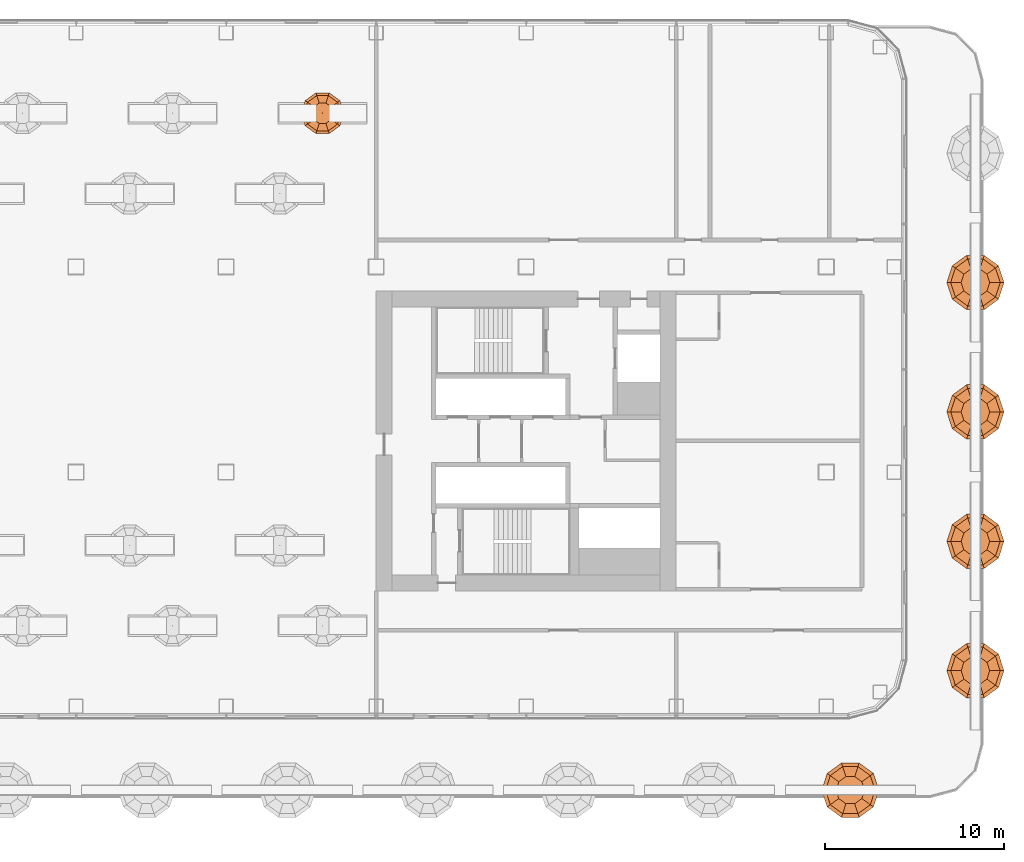
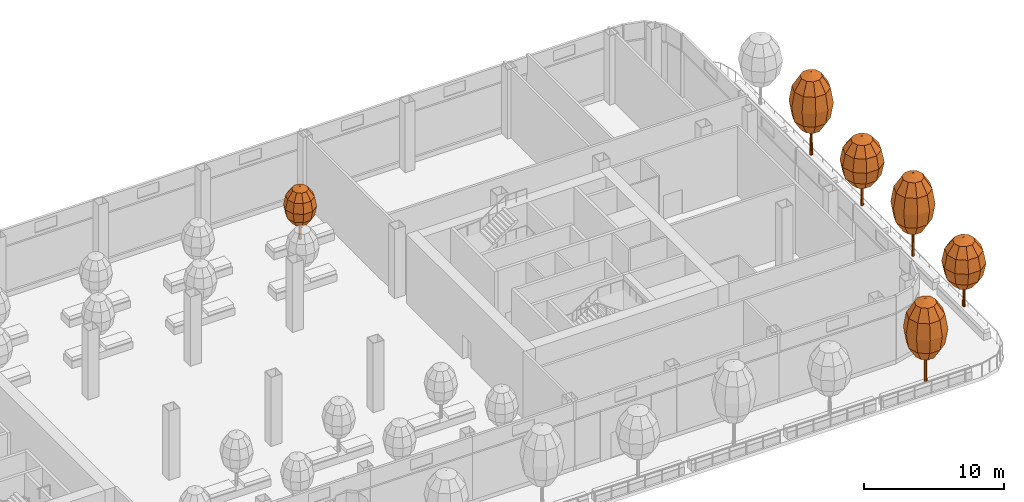
# One storey, part 43 of 44: 6 geographic elements.
"""IFC4 building model written with IfcOpenShell, lengths in metres."""

from ifc_helpers import new_model, si_unit, direction, frame, origin, place, context, subcontext, project, spatial, triangles, material, type_object, element, save


model = new_model("IFC4")

# Units and contexts
model_context = context("Model", 3, precision=1e-05, world=origin(), true_north=direction((0.0, 1.0)))
body_context = subcontext(model_context, "Body", "Model", "MODEL_VIEW")
ifc_project = project(units=[si_unit("LENGTHUNIT", "METRE"), si_unit("AREAUNIT", "SQUARE_METRE"), si_unit("VOLUMEUNIT", "CUBIC_METRE"), si_unit("PLANEANGLEUNIT", "RADIAN"), si_unit("MASSUNIT", "GRAM", prefix="KILO")], contexts=[model_context])

# Site, building, storey
site_placement = place(None, origin())
site = spatial("IfcSite", under=ifc_project, at=site_placement, CompositionType="ELEMENT")
building_placement = place(site_placement, origin())
building = spatial("IfcBuilding", under=site, at=building_placement, Name="Hakoniwa Tower and Hamabe Station Hall", CompositionType="ELEMENT")
storey_placement = place(building_placement, frame((0.0, 0.0, 69.0)))
storey = spatial("IfcBuildingStorey", under=building, at=storey_placement, Name="L19", CompositionType="ELEMENT", Elevation=69.0)

# Geographic elements
ifc_material_1 = material(Name="Tree foliage")
geographic_element_type_1 = type_object("IfcGeographicElementType", Name="Camellia 4.6 m", PredefinedType="USERDEFINED", material=ifc_material_1)
geographic_element_1_placement = place(storey_placement, frame((13.800048828125, 18.35009765625, 0.60009765625)))
element("IfcGeographicElement", 1, at=geographic_element_1_placement, inside=storey, type_object=geographic_element_type_1, Name="Camellia 4-6 m", ObjectType="TREE", PredefinedType="USERDEFINED", context=body_context, shape_type="Tessellation", body=[
    triangles([(0.125, 0.0, 0.0), (0.08837890625, 0.08837890625, 0.0), (0.0, 0.125, 0.0), (-0.08837890625, 0.08837890625, 0.0), (-0.125, 0.0, 0.0), (-0.08837890625, -0.08837890625, 0.0), (0.0, -0.125, 0.0), (0.08837890625, -0.08837890625, 0.0), (0.074951171875, 0.0, 2.778564453125), (0.052978515625, 0.052978515625, 2.778564453125), (0.0, 0.074951171875, 2.778564453125), (-0.052978515625, 0.052978515625, 2.778564453125), (-0.074951171875, 0.0, 2.778564453125), (-0.052978515625, -0.052978515625, 2.778564453125), (0.0, -0.074951171875, 2.778564453125), (0.052978515625, -0.052978515625, 2.778564453125), (0.0, 0.0, 0.0), (0.0, 0.0, 2.778564453125)], [[1, 2, 10], [1, 10, 9], [17, 2, 1], [18, 9, 10], [2, 3, 11], [2, 11, 10], [17, 3, 2], [18, 10, 11], [3, 4, 12], [3, 12, 11], [17, 4, 3], [18, 11, 12], [4, 5, 13], [4, 13, 12], [17, 5, 4], [18, 12, 13], [5, 6, 14], [5, 14, 13], [17, 6, 5], [18, 13, 14], [6, 7, 15], [6, 15, 14], [17, 7, 6], [18, 14, 15], [7, 8, 16], [7, 16, 15], [17, 8, 7], [18, 15, 16], [8, 1, 9], [8, 9, 16], [17, 1, 8], [18, 16, 9]], closed=True),
    triangles([(0.0, 0.0, 1.2880859375), (0.599853515625, 0.0, 1.510009765625), (0.4853515625, 0.3525390625, 1.510009765625), (0.185302734375, 0.570556640625, 1.510009765625), (-0.185302734375, 0.570556640625, 1.510009765625), (-0.4853515625, 0.3525390625, 1.510009765625), (-0.599853515625, 0.0, 1.510009765625), (-0.4853515625, -0.3525390625, 1.510009765625), (-0.185302734375, -0.570556640625, 1.510009765625), (0.185302734375, -0.570556640625, 1.510009765625), (0.4853515625, -0.3525390625, 1.510009765625), (1.039306640625, 0.0, 2.115966796875), (0.8408203125, 0.61083984375, 2.115966796875), (0.321044921875, 0.98828125, 2.115966796875), (-0.321044921875, 0.98828125, 2.115966796875), (-0.8408203125, 0.61083984375, 2.115966796875), (-1.039306640625, 0.0, 2.115966796875), (-0.8408203125, -0.61083984375, 2.115966796875), (-0.321044921875, -0.98828125, 2.115966796875), (0.321044921875, -0.98828125, 2.115966796875), (0.8408203125, -0.61083984375, 2.115966796875), (1.199951171875, 0.0, 2.944091796875), (0.970703125, 0.705322265625, 2.944091796875), (0.370849609375, 1.14111328125, 2.944091796875), (-0.370849609375, 1.14111328125, 2.944091796875), (-0.970703125, 0.705322265625, 2.944091796875), (-1.199951171875, 0.0, 2.944091796875), (-0.970703125, -0.705322265625, 2.944091796875), (-0.370849609375, -1.14111328125, 2.944091796875), (0.370849609375, -1.14111328125, 2.944091796875), (0.970703125, -0.705322265625, 2.944091796875), (1.039306640625, 0.0, 3.77197265625), (0.8408203125, 0.61083984375, 3.77197265625), (0.321044921875, 0.98828125, 3.77197265625), (-0.321044921875, 0.98828125, 3.77197265625), (-0.8408203125, 0.61083984375, 3.77197265625), (-1.039306640625, 0.0, 3.77197265625), (-0.8408203125, -0.61083984375, 3.77197265625), (-0.321044921875, -0.98828125, 3.77197265625), (0.321044921875, -0.98828125, 3.77197265625), (0.8408203125, -0.61083984375, 3.77197265625), (0.599853515625, 0.0, 4.378173828125), (0.4853515625, 0.3525390625, 4.378173828125), (0.185302734375, 0.570556640625, 4.378173828125), (-0.185302734375, 0.570556640625, 4.378173828125), (-0.4853515625, 0.3525390625, 4.378173828125), (-0.599853515625, 0.0, 4.378173828125), (-0.4853515625, -0.3525390625, 4.378173828125), (-0.185302734375, -0.570556640625, 4.378173828125), (0.185302734375, -0.570556640625, 4.378173828125), (0.4853515625, -0.3525390625, 4.378173828125), (0.0, 0.0, 4.60009765625)], [[1, 3, 2], [1, 4, 3], [1, 5, 4], [1, 6, 5], [1, 7, 6], [1, 8, 7], [1, 9, 8], [1, 10, 9], [1, 11, 10], [1, 2, 11], [2, 3, 13], [2, 13, 12], [3, 4, 14], [3, 14, 13], [4, 5, 15], [4, 15, 14], [5, 6, 16], [5, 16, 15], [6, 7, 17], [6, 17, 16], [7, 8, 18], [7, 18, 17], [8, 9, 19], [8, 19, 18], [9, 10, 20], [9, 20, 19], [10, 11, 21], [10, 21, 20], [11, 2, 12], [11, 12, 21], [12, 13, 23], [12, 23, 22], [13, 14, 24], [13, 24, 23], [14, 15, 25], [14, 25, 24], [15, 16, 26], [15, 26, 25], [16, 17, 27], [16, 27, 26], [17, 18, 28], [17, 28, 27], [18, 19, 29], [18, 29, 28], [19, 20, 30], [19, 30, 29], [20, 21, 31], [20, 31, 30], [21, 12, 22], [21, 22, 31], [22, 23, 33], [22, 33, 32], [23, 24, 34], [23, 34, 33], [24, 25, 35], [24, 35, 34], [25, 26, 36], [25, 36, 35], [26, 27, 37], [26, 37, 36], [27, 28, 38], [27, 38, 37], [28, 29, 39], [28, 39, 38], [29, 30, 40], [29, 40, 39], [30, 31, 41], [30, 41, 40], [31, 22, 32], [31, 32, 41], [32, 33, 43], [32, 43, 42], [33, 34, 44], [33, 44, 43], [34, 35, 45], [34, 45, 44], [35, 36, 46], [35, 46, 45], [36, 37, 47], [36, 47, 46], [37, 38, 48], [37, 48, 47], [38, 39, 49], [38, 49, 48], [39, 40, 50], [39, 50, 49], [40, 41, 51], [40, 51, 50], [41, 32, 42], [41, 42, 51], [52, 42, 43], [52, 43, 44], [52, 44, 45], [52, 45, 46], [52, 46, 47], [52, 47, 48], [52, 48, 49], [52, 49, 50], [52, 50, 51], [52, 51, 42]], closed=True),
])
ifc_material_2 = material(Name="Tree foliage")
geographic_element_type_2 = type_object("IfcGeographicElementType", Name="Japanese maple 7.2 m", PredefinedType="USERDEFINED", material=ifc_material_2)
geographic_element_2_placement = place(storey_placement, frame((43.34619140625, -19.551025390625, 0.89990234375)))
element("IfcGeographicElement", 2, at=geographic_element_2_placement, inside=storey, type_object=geographic_element_type_2, Name="Japanese maple 7-2 m", ObjectType="TREE", PredefinedType="USERDEFINED", context=body_context, shape_type="Tessellation", body=[
    triangles([(0.125, 0.0, 0.0), (0.08837890625, 0.08837890625, 0.0), (0.0, 0.125, 0.0), (-0.08837890625, 0.08837890625, 0.0), (-0.125, 0.0, 0.0), (-0.08837890625, -0.08837890625, 0.0), (0.0, -0.125, 0.0), (0.08837890625, -0.08837890625, 0.0), (0.074951171875, 0.0, 4.348876953125), (0.052978515625, 0.052978515625, 4.348876953125), (0.0, 0.074951171875, 4.348876953125), (-0.052978515625, 0.052978515625, 4.348876953125), (-0.074951171875, 0.0, 4.348876953125), (-0.052978515625, -0.052978515625, 4.348876953125), (0.0, -0.074951171875, 4.348876953125), (0.052978515625, -0.052978515625, 4.348876953125), (0.0, 0.0, 0.0), (0.0, 0.0, 4.348876953125)], [[1, 2, 10], [1, 10, 9], [17, 2, 1], [18, 9, 10], [2, 3, 11], [2, 11, 10], [17, 3, 2], [18, 10, 11], [3, 4, 12], [3, 12, 11], [17, 4, 3], [18, 11, 12], [4, 5, 13], [4, 13, 12], [17, 5, 4], [18, 12, 13], [5, 6, 14], [5, 14, 13], [17, 6, 5], [18, 13, 14], [6, 7, 15], [6, 15, 14], [17, 7, 6], [18, 14, 15], [7, 8, 16], [7, 16, 15], [17, 8, 7], [18, 15, 16], [8, 1, 9], [8, 9, 16], [17, 1, 8], [18, 16, 9]], closed=True),
    triangles([(0.0, 0.0, 2.015869140625), (0.800048828125, 0.0, 2.36328125), (0.647216796875, 0.47021484375, 2.36328125), (0.247314453125, 0.7607421875, 2.36328125), (-0.247314453125, 0.7607421875, 2.36328125), (-0.647216796875, 0.47021484375, 2.36328125), (-0.800048828125, 0.0, 2.36328125), (-0.647216796875, -0.47021484375, 2.36328125), (-0.247314453125, -0.7607421875, 2.36328125), (0.247314453125, -0.7607421875, 2.36328125), (0.647216796875, -0.47021484375, 2.36328125), (1.385498046875, 0.0, 3.31201171875), (1.12109375, 0.814453125, 3.31201171875), (0.42822265625, 1.31787109375, 3.31201171875), (-0.42822265625, 1.31787109375, 3.31201171875), (-1.12109375, 0.814453125, 3.31201171875), (-1.385498046875, 0.0, 3.31201171875), (-1.12109375, -0.814453125, 3.31201171875), (-0.42822265625, -1.31787109375, 3.31201171875), (0.42822265625, -1.31787109375, 3.31201171875), (1.12109375, -0.814453125, 3.31201171875), (1.60009765625, 0.0, 4.60791015625), (1.29443359375, 0.9404296875, 4.60791015625), (0.494384765625, 1.521728515625, 4.60791015625), (-0.494384765625, 1.521728515625, 4.60791015625), (-1.29443359375, 0.9404296875, 4.60791015625), (-1.60009765625, 0.0, 4.60791015625), (-1.29443359375, -0.9404296875, 4.60791015625), (-0.494384765625, -1.521728515625, 4.60791015625), (0.494384765625, -1.521728515625, 4.60791015625), (1.29443359375, -0.9404296875, 4.60791015625), (1.385498046875, 0.0, 5.904052734375), (1.12109375, 0.814453125, 5.904052734375), (0.42822265625, 1.31787109375, 5.904052734375), (-0.42822265625, 1.31787109375, 5.904052734375), (-1.12109375, 0.814453125, 5.904052734375), (-1.385498046875, 0.0, 5.904052734375), (-1.12109375, -0.814453125, 5.904052734375), (-0.42822265625, -1.31787109375, 5.904052734375), (0.42822265625, -1.31787109375, 5.904052734375), (1.12109375, -0.814453125, 5.904052734375), (0.800048828125, 0.0, 6.852783203125), (0.647216796875, 0.47021484375, 6.852783203125), (0.247314453125, 0.7607421875, 6.852783203125), (-0.247314453125, 0.7607421875, 6.852783203125), (-0.647216796875, 0.47021484375, 6.852783203125), (-0.800048828125, 0.0, 6.852783203125), (-0.647216796875, -0.47021484375, 6.852783203125), (-0.247314453125, -0.7607421875, 6.852783203125), (0.247314453125, -0.7607421875, 6.852783203125), (0.647216796875, -0.47021484375, 6.852783203125), (0.0, 0.0, 7.199951171875)], [[1, 3, 2], [1, 4, 3], [1, 5, 4], [1, 6, 5], [1, 7, 6], [1, 8, 7], [1, 9, 8], [1, 10, 9], [1, 11, 10], [1, 2, 11], [2, 3, 13], [2, 13, 12], [3, 4, 14], [3, 14, 13], [4, 5, 15], [4, 15, 14], [5, 6, 16], [5, 16, 15], [6, 7, 17], [6, 17, 16], [7, 8, 18], [7, 18, 17], [8, 9, 19], [8, 19, 18], [9, 10, 20], [9, 20, 19], [10, 11, 21], [10, 21, 20], [11, 2, 12], [11, 12, 21], [12, 13, 23], [12, 23, 22], [13, 14, 24], [13, 24, 23], [14, 15, 25], [14, 25, 24], [15, 16, 26], [15, 26, 25], [16, 17, 27], [16, 27, 26], [17, 18, 28], [17, 28, 27], [18, 19, 29], [18, 29, 28], [19, 20, 30], [19, 30, 29], [20, 21, 31], [20, 31, 30], [21, 12, 22], [21, 22, 31], [22, 23, 33], [22, 33, 32], [23, 24, 34], [23, 34, 33], [24, 25, 35], [24, 35, 34], [25, 26, 36], [25, 36, 35], [26, 27, 37], [26, 37, 36], [27, 28, 38], [27, 38, 37], [28, 29, 39], [28, 39, 38], [29, 30, 40], [29, 40, 39], [30, 31, 41], [30, 41, 40], [31, 22, 32], [31, 32, 41], [32, 33, 43], [32, 43, 42], [33, 34, 44], [33, 44, 43], [34, 35, 45], [34, 45, 44], [35, 36, 46], [35, 46, 45], [36, 37, 47], [36, 47, 46], [37, 38, 48], [37, 48, 47], [38, 39, 49], [38, 49, 48], [39, 40, 50], [39, 50, 49], [40, 41, 51], [40, 51, 50], [41, 32, 42], [41, 42, 51], [52, 42, 43], [52, 43, 44], [52, 44, 45], [52, 45, 46], [52, 46, 47], [52, 47, 48], [52, 48, 49], [52, 49, 50], [52, 50, 51], [52, 51, 42]], closed=True),
])
geographic_element_3_placement = place(storey_placement, frame((50.35107421875, -5.61962890625, 0.89990234375)))
element("IfcGeographicElement", 3, at=geographic_element_3_placement, inside=storey, type_object=geographic_element_type_2, Name="Japanese maple 7-2 m", ObjectType="TREE", PredefinedType="USERDEFINED", context=body_context, shape_type="Tessellation", body=[
    triangles([(0.125, 0.0, 0.0), (0.08837890625, 0.08837890625, 0.0), (0.0, 0.125, 0.0), (-0.08837890625, 0.08837890625, 0.0), (-0.125, 0.0, 0.0), (-0.08837890625, -0.08837890625, 0.0), (0.0, -0.125, 0.0), (0.08837890625, -0.08837890625, 0.0), (0.074951171875, 0.0, 4.348876953125), (0.052978515625, 0.052978515625, 4.348876953125), (0.0, 0.074951171875, 4.348876953125), (-0.052978515625, 0.052978515625, 4.348876953125), (-0.074951171875, 0.0, 4.348876953125), (-0.052978515625, -0.052978515625, 4.348876953125), (0.0, -0.074951171875, 4.348876953125), (0.052978515625, -0.052978515625, 4.348876953125), (0.0, 0.0, 0.0), (0.0, 0.0, 4.348876953125)], [[1, 2, 10], [1, 10, 9], [17, 2, 1], [18, 9, 10], [2, 3, 11], [2, 11, 10], [17, 3, 2], [18, 10, 11], [3, 4, 12], [3, 12, 11], [17, 4, 3], [18, 11, 12], [4, 5, 13], [4, 13, 12], [17, 5, 4], [18, 12, 13], [5, 6, 14], [5, 14, 13], [17, 6, 5], [18, 13, 14], [6, 7, 15], [6, 15, 14], [17, 7, 6], [18, 14, 15], [7, 8, 16], [7, 16, 15], [17, 8, 7], [18, 15, 16], [8, 1, 9], [8, 9, 16], [17, 1, 8], [18, 16, 9]], closed=True),
    triangles([(0.0, 0.0, 2.015869140625), (0.800048828125, 0.0, 2.36328125), (0.647216796875, 0.47021484375, 2.36328125), (0.247314453125, 0.7607421875, 2.36328125), (-0.247314453125, 0.7607421875, 2.36328125), (-0.647216796875, 0.47021484375, 2.36328125), (-0.800048828125, 0.0, 2.36328125), (-0.647216796875, -0.47021484375, 2.36328125), (-0.247314453125, -0.7607421875, 2.36328125), (0.247314453125, -0.7607421875, 2.36328125), (0.647216796875, -0.47021484375, 2.36328125), (1.385498046875, 0.0, 3.31201171875), (1.12109375, 0.814453125, 3.31201171875), (0.42822265625, 1.31787109375, 3.31201171875), (-0.42822265625, 1.31787109375, 3.31201171875), (-1.12109375, 0.814453125, 3.31201171875), (-1.385498046875, 0.0, 3.31201171875), (-1.12109375, -0.814453125, 3.31201171875), (-0.42822265625, -1.31787109375, 3.31201171875), (0.42822265625, -1.31787109375, 3.31201171875), (1.12109375, -0.814453125, 3.31201171875), (1.60009765625, 0.0, 4.60791015625), (1.29443359375, 0.9404296875, 4.60791015625), (0.494384765625, 1.521728515625, 4.60791015625), (-0.494384765625, 1.521728515625, 4.60791015625), (-1.29443359375, 0.9404296875, 4.60791015625), (-1.60009765625, 0.0, 4.60791015625), (-1.29443359375, -0.9404296875, 4.60791015625), (-0.494384765625, -1.521728515625, 4.60791015625), (0.494384765625, -1.521728515625, 4.60791015625), (1.29443359375, -0.9404296875, 4.60791015625), (1.385498046875, 0.0, 5.904052734375), (1.12109375, 0.814453125, 5.904052734375), (0.42822265625, 1.31787109375, 5.904052734375), (-0.42822265625, 1.31787109375, 5.904052734375), (-1.12109375, 0.814453125, 5.904052734375), (-1.385498046875, 0.0, 5.904052734375), (-1.12109375, -0.814453125, 5.904052734375), (-0.42822265625, -1.31787109375, 5.904052734375), (0.42822265625, -1.31787109375, 5.904052734375), (1.12109375, -0.814453125, 5.904052734375), (0.800048828125, 0.0, 6.852783203125), (0.647216796875, 0.47021484375, 6.852783203125), (0.247314453125, 0.7607421875, 6.852783203125), (-0.247314453125, 0.7607421875, 6.852783203125), (-0.647216796875, 0.47021484375, 6.852783203125), (-0.800048828125, 0.0, 6.852783203125), (-0.647216796875, -0.47021484375, 6.852783203125), (-0.247314453125, -0.7607421875, 6.852783203125), (0.247314453125, -0.7607421875, 6.852783203125), (0.647216796875, -0.47021484375, 6.852783203125), (0.0, 0.0, 7.199951171875)], [[1, 3, 2], [1, 4, 3], [1, 5, 4], [1, 6, 5], [1, 7, 6], [1, 8, 7], [1, 9, 8], [1, 10, 9], [1, 11, 10], [1, 2, 11], [2, 3, 13], [2, 13, 12], [3, 4, 14], [3, 14, 13], [4, 5, 15], [4, 15, 14], [5, 6, 16], [5, 16, 15], [6, 7, 17], [6, 17, 16], [7, 8, 18], [7, 18, 17], [8, 9, 19], [8, 19, 18], [9, 10, 20], [9, 20, 19], [10, 11, 21], [10, 21, 20], [11, 2, 12], [11, 12, 21], [12, 13, 23], [12, 23, 22], [13, 14, 24], [13, 24, 23], [14, 15, 25], [14, 25, 24], [15, 16, 26], [15, 26, 25], [16, 17, 27], [16, 27, 26], [17, 18, 28], [17, 28, 27], [18, 19, 29], [18, 29, 28], [19, 20, 30], [19, 30, 29], [20, 21, 31], [20, 31, 30], [21, 12, 22], [21, 22, 31], [22, 23, 33], [22, 33, 32], [23, 24, 34], [23, 34, 33], [24, 25, 35], [24, 35, 34], [25, 26, 36], [25, 36, 35], [26, 27, 37], [26, 37, 36], [27, 28, 38], [27, 38, 37], [28, 29, 39], [28, 39, 38], [29, 30, 40], [29, 40, 39], [30, 31, 41], [30, 41, 40], [31, 22, 32], [31, 32, 41], [32, 33, 43], [32, 43, 42], [33, 34, 44], [33, 44, 43], [34, 35, 45], [34, 45, 44], [35, 36, 46], [35, 46, 45], [36, 37, 47], [36, 47, 46], [37, 38, 48], [37, 48, 47], [38, 39, 49], [38, 49, 48], [39, 40, 50], [39, 50, 49], [40, 41, 51], [40, 51, 50], [41, 32, 42], [41, 42, 51], [52, 42, 43], [52, 43, 44], [52, 44, 45], [52, 45, 46], [52, 46, 47], [52, 47, 48], [52, 48, 49], [52, 49, 50], [52, 50, 51], [52, 51, 42]], closed=True),
])
geographic_element_4_placement = place(storey_placement, frame((50.35107421875, 8.86962890625, 0.89990234375)))
element("IfcGeographicElement", 4, at=geographic_element_4_placement, inside=storey, type_object=geographic_element_type_2, Name="Japanese maple 7-2 m", ObjectType="TREE", PredefinedType="USERDEFINED", context=body_context, shape_type="Tessellation", body=[
    triangles([(0.125, 0.0, 0.0), (0.08837890625, 0.08837890625, 0.0), (0.0, 0.125, 0.0), (-0.08837890625, 0.08837890625, 0.0), (-0.125, 0.0, 0.0), (-0.08837890625, -0.08837890625, 0.0), (0.0, -0.125, 0.0), (0.08837890625, -0.08837890625, 0.0), (0.074951171875, 0.0, 4.348876953125), (0.052978515625, 0.052978515625, 4.348876953125), (0.0, 0.074951171875, 4.348876953125), (-0.052978515625, 0.052978515625, 4.348876953125), (-0.074951171875, 0.0, 4.348876953125), (-0.052978515625, -0.052978515625, 4.348876953125), (0.0, -0.074951171875, 4.348876953125), (0.052978515625, -0.052978515625, 4.348876953125), (0.0, 0.0, 0.0), (0.0, 0.0, 4.348876953125)], [[1, 2, 10], [1, 10, 9], [17, 2, 1], [18, 9, 10], [2, 3, 11], [2, 11, 10], [17, 3, 2], [18, 10, 11], [3, 4, 12], [3, 12, 11], [17, 4, 3], [18, 11, 12], [4, 5, 13], [4, 13, 12], [17, 5, 4], [18, 12, 13], [5, 6, 14], [5, 14, 13], [17, 6, 5], [18, 13, 14], [6, 7, 15], [6, 15, 14], [17, 7, 6], [18, 14, 15], [7, 8, 16], [7, 16, 15], [17, 8, 7], [18, 15, 16], [8, 1, 9], [8, 9, 16], [17, 1, 8], [18, 16, 9]], closed=True),
    triangles([(0.0, 0.0, 2.015869140625), (0.800048828125, 0.0, 2.36328125), (0.647216796875, 0.47021484375, 2.36328125), (0.247314453125, 0.7607421875, 2.36328125), (-0.247314453125, 0.7607421875, 2.36328125), (-0.647216796875, 0.47021484375, 2.36328125), (-0.800048828125, 0.0, 2.36328125), (-0.647216796875, -0.47021484375, 2.36328125), (-0.247314453125, -0.7607421875, 2.36328125), (0.247314453125, -0.7607421875, 2.36328125), (0.647216796875, -0.47021484375, 2.36328125), (1.385498046875, 0.0, 3.31201171875), (1.12109375, 0.814453125, 3.31201171875), (0.42822265625, 1.31787109375, 3.31201171875), (-0.42822265625, 1.31787109375, 3.31201171875), (-1.12109375, 0.814453125, 3.31201171875), (-1.385498046875, 0.0, 3.31201171875), (-1.12109375, -0.814453125, 3.31201171875), (-0.42822265625, -1.31787109375, 3.31201171875), (0.42822265625, -1.31787109375, 3.31201171875), (1.12109375, -0.814453125, 3.31201171875), (1.60009765625, 0.0, 4.60791015625), (1.29443359375, 0.9404296875, 4.60791015625), (0.494384765625, 1.521728515625, 4.60791015625), (-0.494384765625, 1.521728515625, 4.60791015625), (-1.29443359375, 0.9404296875, 4.60791015625), (-1.60009765625, 0.0, 4.60791015625), (-1.29443359375, -0.9404296875, 4.60791015625), (-0.494384765625, -1.521728515625, 4.60791015625), (0.494384765625, -1.521728515625, 4.60791015625), (1.29443359375, -0.9404296875, 4.60791015625), (1.385498046875, 0.0, 5.904052734375), (1.12109375, 0.814453125, 5.904052734375), (0.42822265625, 1.31787109375, 5.904052734375), (-0.42822265625, 1.31787109375, 5.904052734375), (-1.12109375, 0.814453125, 5.904052734375), (-1.385498046875, 0.0, 5.904052734375), (-1.12109375, -0.814453125, 5.904052734375), (-0.42822265625, -1.31787109375, 5.904052734375), (0.42822265625, -1.31787109375, 5.904052734375), (1.12109375, -0.814453125, 5.904052734375), (0.800048828125, 0.0, 6.852783203125), (0.647216796875, 0.47021484375, 6.852783203125), (0.247314453125, 0.7607421875, 6.852783203125), (-0.247314453125, 0.7607421875, 6.852783203125), (-0.647216796875, 0.47021484375, 6.852783203125), (-0.800048828125, 0.0, 6.852783203125), (-0.647216796875, -0.47021484375, 6.852783203125), (-0.247314453125, -0.7607421875, 6.852783203125), (0.247314453125, -0.7607421875, 6.852783203125), (0.647216796875, -0.47021484375, 6.852783203125), (0.0, 0.0, 7.199951171875)], [[1, 3, 2], [1, 4, 3], [1, 5, 4], [1, 6, 5], [1, 7, 6], [1, 8, 7], [1, 9, 8], [1, 10, 9], [1, 11, 10], [1, 2, 11], [2, 3, 13], [2, 13, 12], [3, 4, 14], [3, 14, 13], [4, 5, 15], [4, 15, 14], [5, 6, 16], [5, 16, 15], [6, 7, 17], [6, 17, 16], [7, 8, 18], [7, 18, 17], [8, 9, 19], [8, 19, 18], [9, 10, 20], [9, 20, 19], [10, 11, 21], [10, 21, 20], [11, 2, 12], [11, 12, 21], [12, 13, 23], [12, 23, 22], [13, 14, 24], [13, 24, 23], [14, 15, 25], [14, 25, 24], [15, 16, 26], [15, 26, 25], [16, 17, 27], [16, 27, 26], [17, 18, 28], [17, 28, 27], [18, 19, 29], [18, 29, 28], [19, 20, 30], [19, 30, 29], [20, 21, 31], [20, 31, 30], [21, 12, 22], [21, 22, 31], [22, 23, 33], [22, 33, 32], [23, 24, 34], [23, 34, 33], [24, 25, 35], [24, 35, 34], [25, 26, 36], [25, 36, 35], [26, 27, 37], [26, 37, 36], [27, 28, 38], [27, 38, 37], [28, 29, 39], [28, 39, 38], [29, 30, 40], [29, 40, 39], [30, 31, 41], [30, 41, 40], [31, 22, 32], [31, 32, 41], [32, 33, 43], [32, 43, 42], [33, 34, 44], [33, 44, 43], [34, 35, 45], [34, 45, 44], [35, 36, 46], [35, 46, 45], [36, 37, 47], [36, 47, 46], [37, 38, 48], [37, 48, 47], [38, 39, 49], [38, 49, 48], [39, 40, 50], [39, 50, 49], [40, 41, 51], [40, 51, 50], [41, 32, 42], [41, 42, 51], [52, 42, 43], [52, 43, 44], [52, 44, 45], [52, 45, 46], [52, 46, 47], [52, 47, 48], [52, 48, 49], [52, 49, 50], [52, 50, 51], [52, 51, 42]], closed=True),
])
ifc_material_3 = material(Name="Tree foliage")
geographic_element_type_3 = type_object("IfcGeographicElementType", Name="Osmanthus 6.0 m", PredefinedType="USERDEFINED", material=ifc_material_3)
geographic_element_5_placement = place(storey_placement, frame((50.35107421875, -12.864501953125, 0.89990234375)))
element("IfcGeographicElement", 5, at=geographic_element_5_placement, inside=storey, type_object=geographic_element_type_3, Name="Osmanthus 6-0 m", ObjectType="TREE", PredefinedType="USERDEFINED", context=body_context, shape_type="Tessellation", body=[
    triangles([(0.125, 0.0, 0.0), (0.08837890625, 0.08837890625, 0.0), (0.0, 0.125, 0.0), (-0.08837890625, 0.08837890625, 0.0), (-0.125, 0.0, 0.0), (-0.08837890625, -0.08837890625, 0.0), (0.0, -0.125, 0.0), (0.08837890625, -0.08837890625, 0.0), (0.074951171875, 0.0, 3.6240234375), (0.052978515625, 0.052978515625, 3.6240234375), (0.0, 0.074951171875, 3.6240234375), (-0.052978515625, 0.052978515625, 3.6240234375), (-0.074951171875, 0.0, 3.6240234375), (-0.052978515625, -0.052978515625, 3.6240234375), (0.0, -0.074951171875, 3.6240234375), (0.052978515625, -0.052978515625, 3.6240234375), (0.0, 0.0, 0.0), (0.0, 0.0, 3.6240234375)], [[1, 2, 10], [1, 10, 9], [17, 2, 1], [18, 9, 10], [2, 3, 11], [2, 11, 10], [17, 3, 2], [18, 10, 11], [3, 4, 12], [3, 12, 11], [17, 4, 3], [18, 11, 12], [4, 5, 13], [4, 13, 12], [17, 5, 4], [18, 12, 13], [5, 6, 14], [5, 14, 13], [17, 6, 5], [18, 13, 14], [6, 7, 15], [6, 15, 14], [17, 7, 6], [18, 14, 15], [7, 8, 16], [7, 16, 15], [17, 8, 7], [18, 15, 16], [8, 1, 9], [8, 9, 16], [17, 1, 8], [18, 16, 9]], closed=True),
    triangles([(0.0, 0.0, 1.679931640625), (0.800048828125, 0.0, 1.969482421875), (0.647216796875, 0.47021484375, 1.969482421875), (0.247314453125, 0.7607421875, 1.969482421875), (-0.247314453125, 0.7607421875, 1.969482421875), (-0.647216796875, 0.47021484375, 1.969482421875), (-0.800048828125, 0.0, 1.969482421875), (-0.647216796875, -0.47021484375, 1.969482421875), (-0.247314453125, -0.7607421875, 1.969482421875), (0.247314453125, -0.7607421875, 1.969482421875), (0.647216796875, -0.47021484375, 1.969482421875), (1.385498046875, 0.0, 2.760009765625), (1.12109375, 0.814453125, 2.760009765625), (0.42822265625, 1.31787109375, 2.760009765625), (-0.42822265625, 1.31787109375, 2.760009765625), (-1.12109375, 0.814453125, 2.760009765625), (-1.385498046875, 0.0, 2.760009765625), (-1.12109375, -0.814453125, 2.760009765625), (-0.42822265625, -1.31787109375, 2.760009765625), (0.42822265625, -1.31787109375, 2.760009765625), (1.12109375, -0.814453125, 2.760009765625), (1.60009765625, 0.0, 3.840087890625), (1.29443359375, 0.9404296875, 3.840087890625), (0.494384765625, 1.521728515625, 3.840087890625), (-0.494384765625, 1.521728515625, 3.840087890625), (-1.29443359375, 0.9404296875, 3.840087890625), (-1.60009765625, 0.0, 3.840087890625), (-1.29443359375, -0.9404296875, 3.840087890625), (-0.494384765625, -1.521728515625, 3.840087890625), (0.494384765625, -1.521728515625, 3.840087890625), (1.29443359375, -0.9404296875, 3.840087890625), (1.385498046875, 0.0, 4.919921875), (1.12109375, 0.814453125, 4.919921875), (0.42822265625, 1.31787109375, 4.919921875), (-0.42822265625, 1.31787109375, 4.919921875), (-1.12109375, 0.814453125, 4.919921875), (-1.385498046875, 0.0, 4.919921875), (-1.12109375, -0.814453125, 4.919921875), (-0.42822265625, -1.31787109375, 4.919921875), (0.42822265625, -1.31787109375, 4.919921875), (1.12109375, -0.814453125, 4.919921875), (0.800048828125, 0.0, 5.710693359375), (0.647216796875, 0.47021484375, 5.710693359375), (0.247314453125, 0.7607421875, 5.710693359375), (-0.247314453125, 0.7607421875, 5.710693359375), (-0.647216796875, 0.47021484375, 5.710693359375), (-0.800048828125, 0.0, 5.710693359375), (-0.647216796875, -0.47021484375, 5.710693359375), (-0.247314453125, -0.7607421875, 5.710693359375), (0.247314453125, -0.7607421875, 5.710693359375), (0.647216796875, -0.47021484375, 5.710693359375), (0.0, 0.0, 6.0)], [[1, 3, 2], [1, 4, 3], [1, 5, 4], [1, 6, 5], [1, 7, 6], [1, 8, 7], [1, 9, 8], [1, 10, 9], [1, 11, 10], [1, 2, 11], [2, 3, 13], [2, 13, 12], [3, 4, 14], [3, 14, 13], [4, 5, 15], [4, 15, 14], [5, 6, 16], [5, 16, 15], [6, 7, 17], [6, 17, 16], [7, 8, 18], [7, 18, 17], [8, 9, 19], [8, 19, 18], [9, 10, 20], [9, 20, 19], [10, 11, 21], [10, 21, 20], [11, 2, 12], [11, 12, 21], [12, 13, 23], [12, 23, 22], [13, 14, 24], [13, 24, 23], [14, 15, 25], [14, 25, 24], [15, 16, 26], [15, 26, 25], [16, 17, 27], [16, 27, 26], [17, 18, 28], [17, 28, 27], [18, 19, 29], [18, 29, 28], [19, 20, 30], [19, 30, 29], [20, 21, 31], [20, 31, 30], [21, 12, 22], [21, 22, 31], [22, 23, 33], [22, 33, 32], [23, 24, 34], [23, 34, 33], [24, 25, 35], [24, 35, 34], [25, 26, 36], [25, 36, 35], [26, 27, 37], [26, 37, 36], [27, 28, 38], [27, 38, 37], [28, 29, 39], [28, 39, 38], [29, 30, 40], [29, 40, 39], [30, 31, 41], [30, 41, 40], [31, 22, 32], [31, 32, 41], [32, 33, 43], [32, 43, 42], [33, 34, 44], [33, 44, 43], [34, 35, 45], [34, 45, 44], [35, 36, 46], [35, 46, 45], [36, 37, 47], [36, 47, 46], [37, 38, 48], [37, 48, 47], [38, 39, 49], [38, 49, 48], [39, 40, 50], [39, 50, 49], [40, 41, 51], [40, 51, 50], [41, 32, 42], [41, 42, 51], [52, 42, 43], [52, 43, 44], [52, 44, 45], [52, 45, 46], [52, 46, 47], [52, 47, 48], [52, 48, 49], [52, 49, 50], [52, 50, 51], [52, 51, 42]], closed=True),
])
geographic_element_6_placement = place(storey_placement, frame((50.35107421875, 1.625, 0.89990234375)))
element("IfcGeographicElement", 6, at=geographic_element_6_placement, inside=storey, type_object=geographic_element_type_3, Name="Osmanthus 6-0 m", ObjectType="TREE", PredefinedType="USERDEFINED", context=body_context, shape_type="Tessellation", body=[
    triangles([(0.125, 0.0, 0.0), (0.08837890625, 0.08837890625, 0.0), (0.0, 0.125, 0.0), (-0.08837890625, 0.08837890625, 0.0), (-0.125, 0.0, 0.0), (-0.08837890625, -0.08837890625, 0.0), (0.0, -0.125, 0.0), (0.08837890625, -0.08837890625, 0.0), (0.074951171875, 0.0, 3.6240234375), (0.052978515625, 0.052978515625, 3.6240234375), (0.0, 0.074951171875, 3.6240234375), (-0.052978515625, 0.052978515625, 3.6240234375), (-0.074951171875, 0.0, 3.6240234375), (-0.052978515625, -0.052978515625, 3.6240234375), (0.0, -0.074951171875, 3.6240234375), (0.052978515625, -0.052978515625, 3.6240234375), (0.0, 0.0, 0.0), (0.0, 0.0, 3.6240234375)], [[1, 2, 10], [1, 10, 9], [17, 2, 1], [18, 9, 10], [2, 3, 11], [2, 11, 10], [17, 3, 2], [18, 10, 11], [3, 4, 12], [3, 12, 11], [17, 4, 3], [18, 11, 12], [4, 5, 13], [4, 13, 12], [17, 5, 4], [18, 12, 13], [5, 6, 14], [5, 14, 13], [17, 6, 5], [18, 13, 14], [6, 7, 15], [6, 15, 14], [17, 7, 6], [18, 14, 15], [7, 8, 16], [7, 16, 15], [17, 8, 7], [18, 15, 16], [8, 1, 9], [8, 9, 16], [17, 1, 8], [18, 16, 9]], closed=True),
    triangles([(0.0, 0.0, 1.679931640625), (0.800048828125, 0.0, 1.969482421875), (0.647216796875, 0.47021484375, 1.969482421875), (0.247314453125, 0.7607421875, 1.969482421875), (-0.247314453125, 0.7607421875, 1.969482421875), (-0.647216796875, 0.47021484375, 1.969482421875), (-0.800048828125, 0.0, 1.969482421875), (-0.647216796875, -0.47021484375, 1.969482421875), (-0.247314453125, -0.7607421875, 1.969482421875), (0.247314453125, -0.7607421875, 1.969482421875), (0.647216796875, -0.47021484375, 1.969482421875), (1.385498046875, 0.0, 2.760009765625), (1.12109375, 0.814453125, 2.760009765625), (0.42822265625, 1.31787109375, 2.760009765625), (-0.42822265625, 1.31787109375, 2.760009765625), (-1.12109375, 0.814453125, 2.760009765625), (-1.385498046875, 0.0, 2.760009765625), (-1.12109375, -0.814453125, 2.760009765625), (-0.42822265625, -1.31787109375, 2.760009765625), (0.42822265625, -1.31787109375, 2.760009765625), (1.12109375, -0.814453125, 2.760009765625), (1.60009765625, 0.0, 3.840087890625), (1.29443359375, 0.9404296875, 3.840087890625), (0.494384765625, 1.521728515625, 3.840087890625), (-0.494384765625, 1.521728515625, 3.840087890625), (-1.29443359375, 0.9404296875, 3.840087890625), (-1.60009765625, 0.0, 3.840087890625), (-1.29443359375, -0.9404296875, 3.840087890625), (-0.494384765625, -1.521728515625, 3.840087890625), (0.494384765625, -1.521728515625, 3.840087890625), (1.29443359375, -0.9404296875, 3.840087890625), (1.385498046875, 0.0, 4.919921875), (1.12109375, 0.814453125, 4.919921875), (0.42822265625, 1.31787109375, 4.919921875), (-0.42822265625, 1.31787109375, 4.919921875), (-1.12109375, 0.814453125, 4.919921875), (-1.385498046875, 0.0, 4.919921875), (-1.12109375, -0.814453125, 4.919921875), (-0.42822265625, -1.31787109375, 4.919921875), (0.42822265625, -1.31787109375, 4.919921875), (1.12109375, -0.814453125, 4.919921875), (0.800048828125, 0.0, 5.710693359375), (0.647216796875, 0.47021484375, 5.710693359375), (0.247314453125, 0.7607421875, 5.710693359375), (-0.247314453125, 0.7607421875, 5.710693359375), (-0.647216796875, 0.47021484375, 5.710693359375), (-0.800048828125, 0.0, 5.710693359375), (-0.647216796875, -0.47021484375, 5.710693359375), (-0.247314453125, -0.7607421875, 5.710693359375), (0.247314453125, -0.7607421875, 5.710693359375), (0.647216796875, -0.47021484375, 5.710693359375), (0.0, 0.0, 6.0)], [[1, 3, 2], [1, 4, 3], [1, 5, 4], [1, 6, 5], [1, 7, 6], [1, 8, 7], [1, 9, 8], [1, 10, 9], [1, 11, 10], [1, 2, 11], [2, 3, 13], [2, 13, 12], [3, 4, 14], [3, 14, 13], [4, 5, 15], [4, 15, 14], [5, 6, 16], [5, 16, 15], [6, 7, 17], [6, 17, 16], [7, 8, 18], [7, 18, 17], [8, 9, 19], [8, 19, 18], [9, 10, 20], [9, 20, 19], [10, 11, 21], [10, 21, 20], [11, 2, 12], [11, 12, 21], [12, 13, 23], [12, 23, 22], [13, 14, 24], [13, 24, 23], [14, 15, 25], [14, 25, 24], [15, 16, 26], [15, 26, 25], [16, 17, 27], [16, 27, 26], [17, 18, 28], [17, 28, 27], [18, 19, 29], [18, 29, 28], [19, 20, 30], [19, 30, 29], [20, 21, 31], [20, 31, 30], [21, 12, 22], [21, 22, 31], [22, 23, 33], [22, 33, 32], [23, 24, 34], [23, 34, 33], [24, 25, 35], [24, 35, 34], [25, 26, 36], [25, 36, 35], [26, 27, 37], [26, 37, 36], [27, 28, 38], [27, 38, 37], [28, 29, 39], [28, 39, 38], [29, 30, 40], [29, 40, 39], [30, 31, 41], [30, 41, 40], [31, 22, 32], [31, 32, 41], [32, 33, 43], [32, 43, 42], [33, 34, 44], [33, 44, 43], [34, 35, 45], [34, 45, 44], [35, 36, 46], [35, 46, 45], [36, 37, 47], [36, 47, 46], [37, 38, 48], [37, 48, 47], [38, 39, 49], [38, 49, 48], [39, 40, 50], [39, 50, 49], [40, 41, 51], [40, 51, 50], [41, 32, 42], [41, 42, 51], [52, 42, 43], [52, 43, 44], [52, 44, 45], [52, 45, 46], [52, 46, 47], [52, 47, 48], [52, 48, 49], [52, 49, 50], [52, 50, 51], [52, 51, 42]], closed=True),
])

save(model, "model.ifc")
